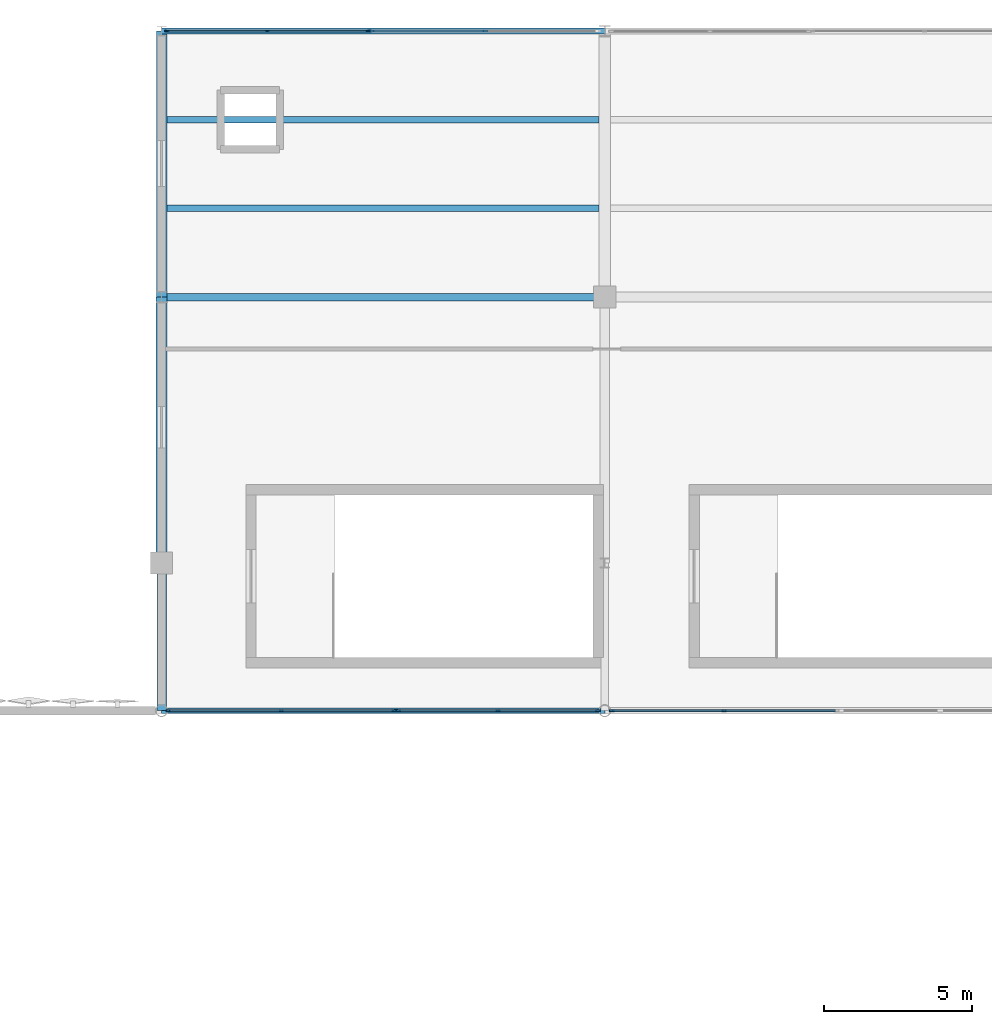
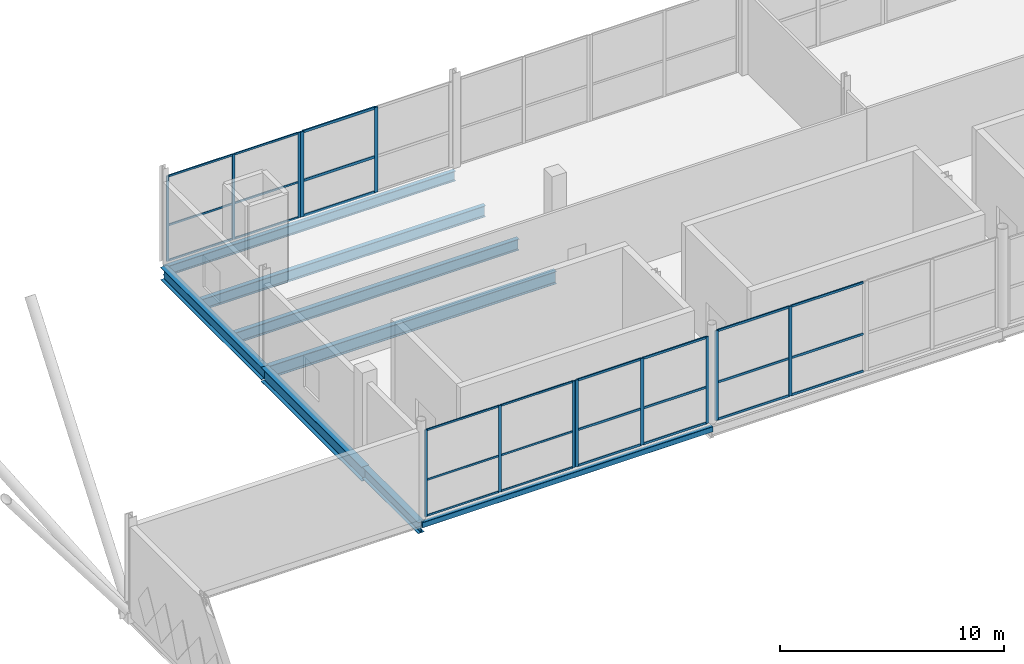
# One storey, part 32 of 119: 40 members, 8 beams, 5 elements without a shape of their own.
"""IFC4 building model written with IfcOpenShell, lengths in metres."""

from ifc_helpers import new_model, si_unit, direction, frame, origin, origin_2d, place, context, subcontext, project, spatial, rectangle, hollow_rectangle, i_section, extrude, material, layer, layer_set, material_profile, profile_set, type_object, element, aggregate, save


model = new_model("IFC4")

# Units and contexts
model_context = context("Model", 3, precision=1e-05, world=origin(), true_north=direction((0.0, 1.0)))
body_context = subcontext(model_context, "Body", "Model", "MODEL_VIEW")
ifc_project = project(units=[si_unit("LENGTHUNIT", "METRE"), si_unit("AREAUNIT", "SQUARE_METRE"), si_unit("VOLUMEUNIT", "CUBIC_METRE"), si_unit("PLANEANGLEUNIT", "RADIAN"), si_unit("MASSUNIT", "GRAM", prefix="KILO")], contexts=[model_context])

# Site, building, storey
site_placement = place(None, origin())
site = spatial("IfcSite", under=ifc_project, at=site_placement, CompositionType="ELEMENT")
building_placement = place(site_placement, origin())
building = spatial("IfcBuilding", under=site, at=building_placement, Name="Qamarlyn Nura Convention Centre", CompositionType="ELEMENT")
storey_placement = place(building_placement, frame((0.0, 0.0, 5.39990234375)))
storey = spatial("IfcBuildingStorey", under=building, at=storey_placement, Name="L01", CompositionType="ELEMENT", Elevation=5.39990234375)

# Beams
ifc_material_1 = material(Name="Steel ASTM A992", Category="steel")
ifc_material_profile_1 = material_profile(ifc_material_1, i_section(OverallWidth=0.323974609375, OverallDepth=0.611083984375, WebThickness=0.0126953125, FlangeThickness=0.01904296875, FilletRadius=0.01611328125, at=origin_2d()), Name="W610X155")
ifc_profile_set_1 = profile_set([ifc_material_profile_1], Name="Steel ASTM A992")
beam_type_1 = type_object("IfcBeamType", Name="BM-GIRD-610", PredefinedType="BEAM", material=ifc_profile_set_1)
beam_1_placement = place(storey_placement, frame((15.0, 103.0, -0.525390625), z_axis=(0.0, 1.0, 0.0), x_axis=(-1.0, 0.0, 0.0)))
element("IfcBeam", 1, at=beam_1_placement, inside=storey, type_object=beam_type_1, Name="L01 girder 2 M-N", PredefinedType="BEAM", context=body_context, shape_type="SweptSolid", body=[
    extrude(i_section(OverallWidth=0.323974609375, OverallDepth=0.611083984375, WebThickness=0.0126953125, FlangeThickness=0.01904296875, FilletRadius=0.01611328125, at=origin_2d()), origin(), (0.0, 0.0, 1.0), 5.0),
])
ifc_material_profile_2 = material_profile(ifc_material_1, i_section(OverallWidth=0.35498046875, OverallDepth=0.695068359375, WebThickness=0.015380859375, FlangeThickness=0.02490234375, FilletRadius=0.01806640625, at=origin_2d()), Name="W690X217")
ifc_profile_set_2 = profile_set([ifc_material_profile_2], Name="Steel ASTM A992")
beam_type_2 = type_object("IfcBeamType", Name="BM-GIRD-690A", PredefinedType="BEAM", material=ifc_profile_set_2)
beam_2_placement = place(storey_placement, frame((15.0, 117.0, -0.5673828125), z_axis=(0.0, 1.0, 0.0), x_axis=(-1.0, 0.0, 0.0)))
element("IfcBeam", 2, at=beam_2_placement, inside=storey, type_object=beam_type_2, Name="L01 girder 2 P-Q", PredefinedType="BEAM", context=body_context, shape_type="SweptSolid", body=[
    extrude(i_section(OverallWidth=0.35498046875, OverallDepth=0.695068359375, WebThickness=0.015380859375, FlangeThickness=0.02490234375, FilletRadius=0.01806640625, at=origin_2d()), origin(), (0.0, 0.0, 1.0), 9.0),
])
ifc_material_profile_3 = material_profile(ifc_material_1, i_section(OverallWidth=0.25390625, OverallDepth=0.68408203125, WebThickness=0.012451171875, FlangeThickness=0.01904296875, FilletRadius=0.01806640625, at=origin_2d()), Name="W690X140")
ifc_profile_set_3 = profile_set([ifc_material_profile_3], Name="Steel ASTM A992")
beam_type_3 = type_object("IfcBeamType", Name="BM-GIRD-690B", PredefinedType="BEAM", material=ifc_profile_set_3)
beam_3_placement = place(storey_placement, frame((15.0, 117.0, -0.56201171875), z_axis=(1.0, 0.0, 0.0), x_axis=(0.0, 1.0, 0.0)))
element("IfcBeam", 3, at=beam_3_placement, inside=storey, type_object=beam_type_3, Name="L01 girder P 2-3", PredefinedType="BEAM", context=body_context, shape_type="SweptSolid", body=[
    extrude(i_section(OverallWidth=0.25390625, OverallDepth=0.68408203125, WebThickness=0.012451171875, FlangeThickness=0.01904296875, FilletRadius=0.01806640625, at=origin_2d()), origin(), (0.0, 0.0, 1.0), 15.0),
])
ifc_material_profile_4 = material_profile(ifc_material_1, i_section(OverallWidth=0.381103515625, OverallDepth=0.77294921875, WebThickness=0.0166015625, FlangeThickness=0.027587890625, FilletRadius=0.02001953125, at=origin_2d()), Name="W760X257")
ifc_profile_set_4 = profile_set([ifc_material_profile_4], Name="Steel ASTM A992")
beam_type_4 = type_object("IfcBeamType", Name="BM-GIRD-760", PredefinedType="BEAM", material=ifc_profile_set_4)
beam_4_placement = place(storey_placement, frame((15.0, 108.0, -0.6064453125), z_axis=(0.0, 1.0, 0.0), x_axis=(-1.0, 0.0, 0.0)))
element("IfcBeam", 4, at=beam_4_placement, inside=storey, type_object=beam_type_4, Name="L01 girder 2 N-P", PredefinedType="BEAM", context=body_context, shape_type="SweptSolid", body=[
    extrude(i_section(OverallWidth=0.381103515625, OverallDepth=0.77294921875, WebThickness=0.0166015625, FlangeThickness=0.027587890625, FilletRadius=0.02001953125, at=origin_2d()), origin(), (0.0, 0.0, 1.0), 9.0),
])
ifc_material_profile_5 = material_profile(ifc_material_1, i_section(OverallWidth=0.22802734375, OverallDepth=0.60791015625, WebThickness=0.01123046875, FlangeThickness=0.017333984375, FilletRadius=0.01611328125, at=origin_2d()), Name="W610X113")
ifc_profile_set_5 = profile_set([ifc_material_profile_5], Name="Steel ASTM A992")
beam_type_5 = type_object("IfcBeamType", Name="BM-JOIST-610", PredefinedType="JOIST", material=ifc_profile_set_5)
for number, where, z_axis, x_axis, name in (
    (5, (15.177490234375, 120.0, -0.52392578125), (1.0, 0.0, 0.0), (0.0, 1.0, 0.0), "L01 composite joist 2-3/P+1"),
    (6, (15.177490234375, 123.0, -0.52392578125), (1.0, 0.0, 0.0), (0.0, 1.0, 0.0), "L01 composite joist 2-3/P+2"),
):
    element("IfcBeam", number, at=place(storey_placement, frame(where, z_axis=z_axis, x_axis=x_axis)), inside=storey, type_object=beam_type_5, Name=name, PredefinedType="JOIST", context=body_context, shape_type="SweptSolid", body=[
        extrude(i_section(OverallWidth=0.22802734375, OverallDepth=0.60791015625, WebThickness=0.01123046875, FlangeThickness=0.017333984375, FilletRadius=0.01611328125, at=origin_2d()), origin(), (0.0, 0.0, 1.0), 14.632080078125),
    ])
ifc_material_profile_6 = material_profile(ifc_material_1, i_section(OverallWidth=0.2109375, OverallDepth=0.5390625, WebThickness=0.01171875, FlangeThickness=0.018798828125, FilletRadius=0.013916015625, at=origin_2d()), Name="W530X109")
ifc_profile_set_6 = profile_set([ifc_material_profile_6], Name="Steel ASTM A992")
beam_type_6 = type_object("IfcBeamType", Name="BM-SPAN-530", PredefinedType="SPANDREL", material=ifc_profile_set_6)
beam_5_placement = place(storey_placement, frame((15.0, 126.0, -0.489501953125), z_axis=(1.0, 0.0, 0.0), x_axis=(0.0, 1.0, 0.0)))
element("IfcBeam", 7, at=beam_5_placement, inside=storey, type_object=beam_type_6, Name="L01 girder Q 2-3", PredefinedType="SPANDREL", context=body_context, shape_type="SweptSolid", body=[
    extrude(i_section(OverallWidth=0.2109375, OverallDepth=0.5390625, WebThickness=0.01171875, FlangeThickness=0.018798828125, FilletRadius=0.013916015625, at=origin_2d()), origin(), (0.0, 0.0, 1.0), 15.0),
])
ifc_material_2 = material(Name="Steel ASTM A500 Grade C", Category="steel")
ifc_material_profile_7 = material_profile(ifc_material_2, hollow_rectangle(XDim=0.199951171875, YDim=0.300048828125, WallThickness=0.012451171875, InnerFilletRadius=0.012451171875, OuterFilletRadius=0.02490234375, at=origin_2d()), Name="HSS300X200X12.5")
ifc_profile_set_7 = profile_set([ifc_material_profile_7], Name="Steel ASTM A500 Grade C")
beam_type_7 = type_object("IfcBeamType", Name="BM-SPAN-HSS", PredefinedType="SPANDREL", material=ifc_profile_set_7)
beam_6_placement = place(storey_placement, frame((15.0, 103.0, -0.369873046875), z_axis=(1.0, 0.0, 0.0), x_axis=(0.0, 1.0, 0.0)))
element("IfcBeam", 8, at=beam_6_placement, inside=storey, type_object=beam_type_7, Name="L01 girder M 2-3", PredefinedType="SPANDREL", context=body_context, shape_type="SweptSolid", body=[
    extrude(hollow_rectangle(XDim=0.199951171875, YDim=0.300048828125, WallThickness=0.012451171875, InnerFilletRadius=0.012451171875, OuterFilletRadius=0.02490234375, at=origin_2d()), origin(), (0.0, 0.0, 1.0), 15.0),
])

# Curtain wall, members
ifc_material_3 = material(Name="Double-silver low-E insulated glass", Category="glass")
ifc_layer_1 = layer(ifc_material_3, 0.179931640625, Name="CW-UNIT-34")
ifc_layer_set_1 = layer_set([ifc_layer_1], Name="Double-silver low-E insulated glass")
curtain_wall_type_1 = type_object("IfcCurtainWallType", Name="CW-UNIT-34", PredefinedType="NOTDEFINED", material=ifc_layer_set_1)
curtain_wall_1_placement = place(storey_placement, origin())
curtain_wall_1 = element("IfcCurtainWall", 9, at=curtain_wall_1_placement, inside=storey, type_object=curtain_wall_type_1, Name="L01 unitised curtain wall NS-INT-1-1B", PredefinedType="NOTDEFINED")
ifc_material_4 = material(Name="Champagne-anodised marine aluminium", Category="aluminium")
ifc_material_profile_8 = material_profile(ifc_material_4, rectangle(XDim=0.06005859375, YDim=0.139892578125, at=origin_2d()), Name="ALU MULLION 60x140")
ifc_profile_set_8 = profile_set([ifc_material_profile_8], Name="Champagne-anodised marine aluminium")
member_type_1 = type_object("IfcMemberType", Name="CWM-140", PredefinedType="MULLION", material=ifc_profile_set_8)
member_1_placement = place(storey_placement, frame((22.867919921875, 103.0, 0.0), z_axis=(0.0, 0.0, 1.0), x_axis=(0.0, -1.0, 0.0)))
member_1 = element("IfcMember", 10, at=member_1_placement, type_object=member_type_1, Name="CW34 mullion 1", PredefinedType="MULLION", context=body_context, shape_type="SweptSolid", body=[
    extrude(rectangle(XDim=0.06005859375, YDim=0.139892578125, at=origin_2d()), origin(), (0.0, 0.0, 1.0), 4.72412109375),
])
member_2_placement = place(storey_placement, frame((19.050537109375, 103.0, 0.0), z_axis=(0.0, 0.0, 1.0), x_axis=(0.0, -1.0, 0.0)))
member_2 = element("IfcMember", 11, at=member_2_placement, type_object=member_type_1, Name="CW34 mullion 2", PredefinedType="MULLION", context=body_context, shape_type="SweptSolid", body=[
    extrude(rectangle(XDim=0.06005859375, YDim=0.139892578125, at=origin_2d()), origin(), (0.0, 0.0, 1.0), 4.72412109375),
])
member_3_placement = place(storey_placement, frame((15.233154296875, 103.0, 0.0), z_axis=(0.0, 0.0, 1.0), x_axis=(0.0, -1.0, 0.0)))
member_3 = element("IfcMember", 12, at=member_3_placement, type_object=member_type_1, Name="CW34 mullion 3", PredefinedType="MULLION", context=body_context, shape_type="SweptSolid", body=[
    extrude(rectangle(XDim=0.06005859375, YDim=0.139892578125, at=origin_2d()), origin(), (0.0, 0.0, 1.0), 4.72412109375),
])

ifc_layer_2 = layer(ifc_material_3, 0.179931640625, Name="CW-UNIT-43")
ifc_layer_set_2 = layer_set([ifc_layer_2], Name="Double-silver low-E insulated glass")
curtain_wall_type_2 = type_object("IfcCurtainWallType", Name="CW-UNIT-43", PredefinedType="NOTDEFINED", material=ifc_layer_set_2)
curtain_wall_2_placement = place(storey_placement, origin())
curtain_wall_2 = element("IfcCurtainWall", 13, at=curtain_wall_2_placement, inside=storey, type_object=curtain_wall_type_2, Name="L01 unitised curtain wall NS-N1-1A", PredefinedType="NOTDEFINED")
member_4_placement = place(storey_placement, frame((15.1826171875, 126.0, 0.0), z_axis=(0.0, 0.0, 1.0), x_axis=(0.0, 1.0, 0.0)))
member_4 = element("IfcMember", 14, at=member_4_placement, type_object=member_type_1, Name="CW43 mullion 1", PredefinedType="MULLION", context=body_context, shape_type="SweptSolid", body=[
    extrude(rectangle(XDim=0.06005859375, YDim=0.139892578125, at=origin_2d()), origin(), (0.0, 0.0, 1.0), 4.651123046875),
])
member_5_placement = place(storey_placement, frame((18.57763671875, 126.0, 0.0), z_axis=(0.0, 0.0, 1.0), x_axis=(0.0, 1.0, 0.0)))
member_5 = element("IfcMember", 15, at=member_5_placement, type_object=member_type_1, Name="CW43 mullion 2", PredefinedType="MULLION", context=body_context, shape_type="SweptSolid", body=[
    extrude(rectangle(XDim=0.06005859375, YDim=0.139892578125, at=origin_2d()), origin(), (0.0, 0.0, 1.0), 4.651123046875),
])
member_6_placement = place(storey_placement, frame((21.972900390625, 126.0, 0.0), z_axis=(0.0, 0.0, 1.0), x_axis=(0.0, 1.0, 0.0)))
member_6 = element("IfcMember", 16, at=member_6_placement, type_object=member_type_1, Name="CW43 mullion 3", PredefinedType="MULLION", context=body_context, shape_type="SweptSolid", body=[
    extrude(rectangle(XDim=0.06005859375, YDim=0.139892578125, at=origin_2d()), origin(), (0.0, 0.0, 1.0), 4.651123046875),
])

ifc_layer_3 = layer(ifc_material_3, 0.179931640625, Name="CW-UNIT-33")
ifc_layer_set_3 = layer_set([ifc_layer_3], Name="Double-silver low-E insulated glass")
curtain_wall_type_3 = type_object("IfcCurtainWallType", Name="CW-UNIT-33", PredefinedType="NOTDEFINED", material=ifc_layer_set_3)
curtain_wall_3_placement = place(storey_placement, origin())
curtain_wall_3 = element("IfcCurtainWall", 17, at=curtain_wall_3_placement, inside=storey, type_object=curtain_wall_type_3, Name="L01 unitised curtain wall NS-INT-1-1A", PredefinedType="NOTDEFINED")
ifc_material_profile_9 = material_profile(ifc_material_4, rectangle(XDim=0.06494140625, YDim=0.159912109375, at=origin_2d()), Name="ALU MULLION 65x160")
ifc_profile_set_9 = profile_set([ifc_material_profile_9], Name="Champagne-anodised marine aluminium")
member_type_2 = type_object("IfcMemberType", Name="CWM-160", PredefinedType="MULLION", material=ifc_profile_set_9)
member_7_placement = place(storey_placement, frame((29.764404296875, 103.0, 0.0), z_axis=(0.0, 0.0, 1.0), x_axis=(0.0, -1.0, 0.0)))
member_7 = element("IfcMember", 18, at=member_7_placement, type_object=member_type_2, Name="CW33 mullion 1", PredefinedType="MULLION", context=body_context, shape_type="SweptSolid", body=[
    extrude(rectangle(XDim=0.06494140625, YDim=0.159912109375, at=origin_2d()), origin(), (0.0, 0.0, 1.0), 4.72412109375),
])
member_8_placement = place(storey_placement, frame((26.38720703125, 103.0, 0.0), z_axis=(0.0, 0.0, 1.0), x_axis=(0.0, -1.0, 0.0)))
member_8 = element("IfcMember", 19, at=member_8_placement, type_object=member_type_2, Name="CW33 mullion 2", PredefinedType="MULLION", context=body_context, shape_type="SweptSolid", body=[
    extrude(rectangle(XDim=0.06494140625, YDim=0.159912109375, at=origin_2d()), origin(), (0.0, 0.0, 1.0), 4.72412109375),
])
member_9_placement = place(storey_placement, frame((23.01025390625, 103.0, 0.0), z_axis=(0.0, 0.0, 1.0), x_axis=(0.0, -1.0, 0.0)))
member_9 = element("IfcMember", 20, at=member_9_placement, type_object=member_type_2, Name="CW33 mullion 3", PredefinedType="MULLION", context=body_context, shape_type="SweptSolid", body=[
    extrude(rectangle(XDim=0.06494140625, YDim=0.159912109375, at=origin_2d()), origin(), (0.0, 0.0, 1.0), 4.72412109375),
])

ifc_layer_4 = layer(ifc_material_3, 0.179931640625, Name="CW-UNIT-36")
ifc_layer_set_4 = layer_set([ifc_layer_4], Name="Double-silver low-E insulated glass")
curtain_wall_type_4 = type_object("IfcCurtainWallType", Name="CW-UNIT-36", PredefinedType="NOTDEFINED", material=ifc_layer_set_4)
curtain_wall_4_placement = place(storey_placement, origin())
curtain_wall_4 = element("IfcCurtainWall", 21, at=curtain_wall_4_placement, inside=storey, type_object=curtain_wall_type_4, Name="L01 unitised curtain wall NS-INT-2-1B", PredefinedType="NOTDEFINED")
member_10_placement = place(storey_placement, frame((34.037109375, 103.0, 0.0), z_axis=(0.0, 0.0, 1.0), x_axis=(0.0, -1.0, 0.0)))
member_10 = element("IfcMember", 22, at=member_10_placement, type_object=member_type_2, Name="CW36 mullion 2", PredefinedType="MULLION", context=body_context, shape_type="SweptSolid", body=[
    extrude(rectangle(XDim=0.06494140625, YDim=0.159912109375, at=origin_2d()), origin(), (0.0, 0.0, 1.0), 4.89013671875),
])
member_11_placement = place(storey_placement, frame((30.235595703125, 103.0, 0.0), z_axis=(0.0, 0.0, 1.0), x_axis=(0.0, -1.0, 0.0)))
member_11 = element("IfcMember", 23, at=member_11_placement, type_object=member_type_2, Name="CW36 mullion 3", PredefinedType="MULLION", context=body_context, shape_type="SweptSolid", body=[
    extrude(rectangle(XDim=0.06494140625, YDim=0.159912109375, at=origin_2d()), origin(), (0.0, 0.0, 1.0), 4.89013671875),
])

ifc_layer_5 = layer(ifc_material_3, 0.179931640625, Name="CW-UNIT-44")
ifc_layer_set_5 = layer_set([ifc_layer_5], Name="Double-silver low-E insulated glass")
curtain_wall_type_5 = type_object("IfcCurtainWallType", Name="CW-UNIT-44", PredefinedType="NOTDEFINED", material=ifc_layer_set_5)
curtain_wall_5_placement = place(storey_placement, origin())
curtain_wall_5 = element("IfcCurtainWall", 24, at=curtain_wall_5_placement, inside=storey, type_object=curtain_wall_type_5, Name="L01 unitised curtain wall NS-N1-1B", PredefinedType="NOTDEFINED")
ifc_material_profile_10 = material_profile(ifc_material_4, rectangle(XDim=0.070068359375, YDim=0.179931640625, at=origin_2d()), Name="ALU MULLION 70x180")
ifc_profile_set_10 = profile_set([ifc_material_profile_10], Name="Champagne-anodised marine aluminium")
member_type_3 = type_object("IfcMemberType", Name="CWM-180", PredefinedType="MULLION", material=ifc_profile_set_10)
member_12_placement = place(storey_placement, frame((22.117919921875, 126.0, 0.0), z_axis=(0.0, 0.0, 1.0), x_axis=(0.0, 1.0, 0.0)))
member_12 = element("IfcMember", 25, at=member_12_placement, type_object=member_type_3, Name="CW44 mullion 1", PredefinedType="MULLION", context=body_context, shape_type="SweptSolid", body=[
    extrude(rectangle(XDim=0.070068359375, YDim=0.179931640625, at=origin_2d()), origin(), (0.0, 0.0, 1.0), 4.651123046875),
])
member_13_placement = place(storey_placement, frame((25.947998046875, 126.0, 0.0), z_axis=(0.0, 0.0, 1.0), x_axis=(0.0, 1.0, 0.0)))
member_13 = element("IfcMember", 26, at=member_13_placement, type_object=member_type_3, Name="CW44 mullion 2", PredefinedType="MULLION", context=body_context, shape_type="SweptSolid", body=[
    extrude(rectangle(XDim=0.070068359375, YDim=0.179931640625, at=origin_2d()), origin(), (0.0, 0.0, 1.0), 4.651123046875),
])

# Member
ifc_material_profile_11 = material_profile(ifc_material_4, rectangle(XDim=0.06005859375, YDim=0.10009765625, at=origin_2d()), Name="ALU TRANSOM 60x100")
ifc_profile_set_11 = profile_set([ifc_material_profile_11], Name="Champagne-anodised marine aluminium")
member_type_4 = type_object("IfcMemberType", Name="CWT-100", PredefinedType="USERDEFINED", material=ifc_profile_set_11)
member_14_placement = place(storey_placement, frame((22.837890625, 103.0, 0.030029296875), z_axis=(-1.0, 0.0, 0.0), x_axis=(0.0, -1.0, 0.0)))
member_14 = element("IfcMember", 27, at=member_14_placement, type_object=member_type_4, Name="CW34 transom 1.1", ObjectType="TRANSOM", PredefinedType="USERDEFINED", context=body_context, shape_type="SweptSolid", body=[
    extrude(rectangle(XDim=0.06005859375, YDim=0.10009765625, at=origin_2d()), origin(), (0.0, 0.0, 1.0), 3.75732421875),
])

member_15_placement = place(storey_placement, frame((22.837890625, 103.0, 1.984130859375), z_axis=(-1.0, 0.0, 0.0), x_axis=(0.0, -1.0, 0.0)))
member_15 = element("IfcMember", 28, at=member_15_placement, type_object=member_type_4, Name="CW34 transom 1.2", ObjectType="TRANSOM", PredefinedType="USERDEFINED", context=body_context, shape_type="SweptSolid", body=[
    extrude(rectangle(XDim=0.06005859375, YDim=0.10009765625, at=origin_2d()), origin(), (0.0, 0.0, 1.0), 3.75732421875),
])

member_16_placement = place(storey_placement, frame((22.837890625, 103.0, 4.694091796875), z_axis=(-1.0, 0.0, 0.0), x_axis=(0.0, -1.0, 0.0)))
member_16 = element("IfcMember", 29, at=member_16_placement, type_object=member_type_4, Name="CW34 transom 1.3", ObjectType="TRANSOM", PredefinedType="USERDEFINED", context=body_context, shape_type="SweptSolid", body=[
    extrude(rectangle(XDim=0.06005859375, YDim=0.10009765625, at=origin_2d()), origin(), (0.0, 0.0, 1.0), 3.75732421875),
])

member_17_placement = place(storey_placement, frame((19.0205078125, 103.0, 0.030029296875), z_axis=(-1.0, 0.0, 0.0), x_axis=(0.0, -1.0, 0.0)))
member_17 = element("IfcMember", 30, at=member_17_placement, type_object=member_type_4, Name="CW34 transom 2.1", ObjectType="TRANSOM", PredefinedType="USERDEFINED", context=body_context, shape_type="SweptSolid", body=[
    extrude(rectangle(XDim=0.06005859375, YDim=0.10009765625, at=origin_2d()), origin(), (0.0, 0.0, 1.0), 3.75732421875),
])

member_18_placement = place(storey_placement, frame((19.0205078125, 103.0, 1.984130859375), z_axis=(-1.0, 0.0, 0.0), x_axis=(0.0, -1.0, 0.0)))
member_18 = element("IfcMember", 31, at=member_18_placement, type_object=member_type_4, Name="CW34 transom 2.2", ObjectType="TRANSOM", PredefinedType="USERDEFINED", context=body_context, shape_type="SweptSolid", body=[
    extrude(rectangle(XDim=0.06005859375, YDim=0.10009765625, at=origin_2d()), origin(), (0.0, 0.0, 1.0), 3.75732421875),
])

member_19_placement = place(storey_placement, frame((19.0205078125, 103.0, 4.694091796875), z_axis=(-1.0, 0.0, 0.0), x_axis=(0.0, -1.0, 0.0)))
member_19 = element("IfcMember", 32, at=member_19_placement, type_object=member_type_4, Name="CW34 transom 2.3", ObjectType="TRANSOM", PredefinedType="USERDEFINED", context=body_context, shape_type="SweptSolid", body=[
    extrude(rectangle(XDim=0.06005859375, YDim=0.10009765625, at=origin_2d()), origin(), (0.0, 0.0, 1.0), 3.75732421875),
])

aggregate(curtain_wall_1, [member_1, member_2, member_3, member_14, member_15, member_16, member_17, member_18, member_19])

member_20_placement = place(storey_placement, frame((15.21240234375, 126.0, 0.030029296875), z_axis=(1.0, 0.0, 0.0), x_axis=(0.0, 1.0, 0.0)))
member_20 = element("IfcMember", 33, at=member_20_placement, type_object=member_type_4, Name="CW43 transom 1.1", ObjectType="TRANSOM", PredefinedType="USERDEFINED", context=body_context, shape_type="SweptSolid", body=[
    extrude(rectangle(XDim=0.06005859375, YDim=0.10009765625, at=origin_2d()), origin(), (0.0, 0.0, 1.0), 3.335205078125),
])

member_21_placement = place(storey_placement, frame((15.21240234375, 126.0, 1.953125), z_axis=(1.0, 0.0, 0.0), x_axis=(0.0, 1.0, 0.0)))
member_21 = element("IfcMember", 34, at=member_21_placement, type_object=member_type_4, Name="CW43 transom 1.2", ObjectType="TRANSOM", PredefinedType="USERDEFINED", context=body_context, shape_type="SweptSolid", body=[
    extrude(rectangle(XDim=0.06005859375, YDim=0.10009765625, at=origin_2d()), origin(), (0.0, 0.0, 1.0), 3.335205078125),
])

member_22_placement = place(storey_placement, frame((15.21240234375, 126.0, 4.62109375), z_axis=(1.0, 0.0, 0.0), x_axis=(0.0, 1.0, 0.0)))
member_22 = element("IfcMember", 35, at=member_22_placement, type_object=member_type_4, Name="CW43 transom 1.3", ObjectType="TRANSOM", PredefinedType="USERDEFINED", context=body_context, shape_type="SweptSolid", body=[
    extrude(rectangle(XDim=0.06005859375, YDim=0.10009765625, at=origin_2d()), origin(), (0.0, 0.0, 1.0), 3.335205078125),
])

member_23_placement = place(storey_placement, frame((18.607666015625, 126.0, 0.030029296875), z_axis=(1.0, 0.0, 0.0), x_axis=(0.0, 1.0, 0.0)))
member_23 = element("IfcMember", 36, at=member_23_placement, type_object=member_type_4, Name="CW43 transom 2.1", ObjectType="TRANSOM", PredefinedType="USERDEFINED", context=body_context, shape_type="SweptSolid", body=[
    extrude(rectangle(XDim=0.06005859375, YDim=0.10009765625, at=origin_2d()), origin(), (0.0, 0.0, 1.0), 3.335205078125),
])

member_24_placement = place(storey_placement, frame((18.607666015625, 126.0, 1.953125), z_axis=(1.0, 0.0, 0.0), x_axis=(0.0, 1.0, 0.0)))
member_24 = element("IfcMember", 37, at=member_24_placement, type_object=member_type_4, Name="CW43 transom 2.2", ObjectType="TRANSOM", PredefinedType="USERDEFINED", context=body_context, shape_type="SweptSolid", body=[
    extrude(rectangle(XDim=0.06005859375, YDim=0.10009765625, at=origin_2d()), origin(), (0.0, 0.0, 1.0), 3.335205078125),
])

member_25_placement = place(storey_placement, frame((18.607666015625, 126.0, 4.62109375), z_axis=(1.0, 0.0, 0.0), x_axis=(0.0, 1.0, 0.0)))
member_25 = element("IfcMember", 38, at=member_25_placement, type_object=member_type_4, Name="CW43 transom 2.3", ObjectType="TRANSOM", PredefinedType="USERDEFINED", context=body_context, shape_type="SweptSolid", body=[
    extrude(rectangle(XDim=0.06005859375, YDim=0.10009765625, at=origin_2d()), origin(), (0.0, 0.0, 1.0), 3.335205078125),
])

aggregate(curtain_wall_2, [member_4, member_5, member_6, member_20, member_21, member_22, member_23, member_24, member_25])

ifc_material_profile_12 = material_profile(ifc_material_4, rectangle(XDim=0.06494140625, YDim=0.1201171875, at=origin_2d()), Name="ALU TRANSOM 65x120")
ifc_profile_set_12 = profile_set([ifc_material_profile_12], Name="Champagne-anodised marine aluminium")
member_type_5 = type_object("IfcMemberType", Name="CWT-120", PredefinedType="USERDEFINED", material=ifc_profile_set_12)
member_26_placement = place(storey_placement, frame((29.731689453125, 103.0, 0.03271484375), z_axis=(-1.0, 0.0, 0.0), x_axis=(0.0, -1.0, 0.0)))
member_26 = element("IfcMember", 39, at=member_26_placement, type_object=member_type_5, Name="CW33 transom 1.1", ObjectType="TRANSOM", PredefinedType="USERDEFINED", context=body_context, shape_type="SweptSolid", body=[
    extrude(rectangle(XDim=0.06494140625, YDim=0.1201171875, at=origin_2d()), origin(), (0.0, 0.0, 1.0), 3.311767578125),
])

member_27_placement = place(storey_placement, frame((29.731689453125, 103.0, 1.984130859375), z_axis=(-1.0, 0.0, 0.0), x_axis=(0.0, -1.0, 0.0)))
member_27 = element("IfcMember", 40, at=member_27_placement, type_object=member_type_5, Name="CW33 transom 1.2", ObjectType="TRANSOM", PredefinedType="USERDEFINED", context=body_context, shape_type="SweptSolid", body=[
    extrude(rectangle(XDim=0.06494140625, YDim=0.1201171875, at=origin_2d()), origin(), (0.0, 0.0, 1.0), 3.311767578125),
])

member_28_placement = place(storey_placement, frame((29.731689453125, 103.0, 4.691650390625), z_axis=(-1.0, 0.0, 0.0), x_axis=(0.0, -1.0, 0.0)))
member_28 = element("IfcMember", 41, at=member_28_placement, type_object=member_type_5, Name="CW33 transom 1.3", ObjectType="TRANSOM", PredefinedType="USERDEFINED", context=body_context, shape_type="SweptSolid", body=[
    extrude(rectangle(XDim=0.06494140625, YDim=0.1201171875, at=origin_2d()), origin(), (0.0, 0.0, 1.0), 3.311767578125),
])

member_29_placement = place(storey_placement, frame((26.354736328125, 103.0, 0.03271484375), z_axis=(-1.0, 0.0, 0.0), x_axis=(0.0, -1.0, 0.0)))
member_29 = element("IfcMember", 42, at=member_29_placement, type_object=member_type_5, Name="CW33 transom 2.1", ObjectType="TRANSOM", PredefinedType="USERDEFINED", context=body_context, shape_type="SweptSolid", body=[
    extrude(rectangle(XDim=0.06494140625, YDim=0.1201171875, at=origin_2d()), origin(), (0.0, 0.0, 1.0), 3.31201171875),
])

member_30_placement = place(storey_placement, frame((26.354736328125, 103.0, 1.984130859375), z_axis=(-1.0, 0.0, 0.0), x_axis=(0.0, -1.0, 0.0)))
member_30 = element("IfcMember", 43, at=member_30_placement, type_object=member_type_5, Name="CW33 transom 2.2", ObjectType="TRANSOM", PredefinedType="USERDEFINED", context=body_context, shape_type="SweptSolid", body=[
    extrude(rectangle(XDim=0.06494140625, YDim=0.1201171875, at=origin_2d()), origin(), (0.0, 0.0, 1.0), 3.31201171875),
])

member_31_placement = place(storey_placement, frame((26.354736328125, 103.0, 4.691650390625), z_axis=(-1.0, 0.0, 0.0), x_axis=(0.0, -1.0, 0.0)))
member_31 = element("IfcMember", 44, at=member_31_placement, type_object=member_type_5, Name="CW33 transom 2.3", ObjectType="TRANSOM", PredefinedType="USERDEFINED", context=body_context, shape_type="SweptSolid", body=[
    extrude(rectangle(XDim=0.06494140625, YDim=0.1201171875, at=origin_2d()), origin(), (0.0, 0.0, 1.0), 3.31201171875),
])

aggregate(curtain_wall_3, [member_7, member_8, member_9, member_26, member_27, member_28, member_29, member_30, member_31])

member_32_placement = place(storey_placement, frame((37.805908203125, 103.0, 0.03271484375), z_axis=(-1.0, 0.0, 0.0), x_axis=(0.0, -1.0, 0.0)))
member_32 = element("IfcMember", 45, at=member_32_placement, type_object=member_type_5, Name="CW36 transom 1.1", ObjectType="TRANSOM", PredefinedType="USERDEFINED", context=body_context, shape_type="SweptSolid", body=[
    extrude(rectangle(XDim=0.06494140625, YDim=0.1201171875, at=origin_2d()), origin(), (0.0, 0.0, 1.0), 3.736328125),
])

member_33_placement = place(storey_placement, frame((37.805908203125, 103.0, 2.05419921875), z_axis=(-1.0, 0.0, 0.0), x_axis=(0.0, -1.0, 0.0)))
member_33 = element("IfcMember", 46, at=member_33_placement, type_object=member_type_5, Name="CW36 transom 1.2", ObjectType="TRANSOM", PredefinedType="USERDEFINED", context=body_context, shape_type="SweptSolid", body=[
    extrude(rectangle(XDim=0.06494140625, YDim=0.1201171875, at=origin_2d()), origin(), (0.0, 0.0, 1.0), 3.736328125),
])

member_34_placement = place(storey_placement, frame((37.805908203125, 103.0, 4.857666015625), z_axis=(-1.0, 0.0, 0.0), x_axis=(0.0, -1.0, 0.0)))
member_34 = element("IfcMember", 47, at=member_34_placement, type_object=member_type_5, Name="CW36 transom 1.3", ObjectType="TRANSOM", PredefinedType="USERDEFINED", context=body_context, shape_type="SweptSolid", body=[
    extrude(rectangle(XDim=0.06494140625, YDim=0.1201171875, at=origin_2d()), origin(), (0.0, 0.0, 1.0), 3.736328125),
])

member_35_placement = place(storey_placement, frame((34.004638671875, 103.0, 0.03271484375), z_axis=(-1.0, 0.0, 0.0), x_axis=(0.0, -1.0, 0.0)))
member_35 = element("IfcMember", 48, at=member_35_placement, type_object=member_type_5, Name="CW36 transom 2.1", ObjectType="TRANSOM", PredefinedType="USERDEFINED", context=body_context, shape_type="SweptSolid", body=[
    extrude(rectangle(XDim=0.06494140625, YDim=0.1201171875, at=origin_2d()), origin(), (0.0, 0.0, 1.0), 3.736328125),
])

member_36_placement = place(storey_placement, frame((34.004638671875, 103.0, 2.05419921875), z_axis=(-1.0, 0.0, 0.0), x_axis=(0.0, -1.0, 0.0)))
member_36 = element("IfcMember", 49, at=member_36_placement, type_object=member_type_5, Name="CW36 transom 2.2", ObjectType="TRANSOM", PredefinedType="USERDEFINED", context=body_context, shape_type="SweptSolid", body=[
    extrude(rectangle(XDim=0.06494140625, YDim=0.1201171875, at=origin_2d()), origin(), (0.0, 0.0, 1.0), 3.736328125),
])

member_37_placement = place(storey_placement, frame((34.004638671875, 103.0, 4.857666015625), z_axis=(-1.0, 0.0, 0.0), x_axis=(0.0, -1.0, 0.0)))
member_37 = element("IfcMember", 50, at=member_37_placement, type_object=member_type_5, Name="CW36 transom 2.3", ObjectType="TRANSOM", PredefinedType="USERDEFINED", context=body_context, shape_type="SweptSolid", body=[
    extrude(rectangle(XDim=0.06494140625, YDim=0.1201171875, at=origin_2d()), origin(), (0.0, 0.0, 1.0), 3.736328125),
])

aggregate(curtain_wall_4, [member_10, member_11, member_32, member_33, member_34, member_35, member_36, member_37])

ifc_material_profile_13 = material_profile(ifc_material_4, rectangle(XDim=0.070068359375, YDim=0.139892578125, at=origin_2d()), Name="ALU TRANSOM 70x140")
ifc_profile_set_13 = profile_set([ifc_material_profile_13], Name="Champagne-anodised marine aluminium")
member_type_6 = type_object("IfcMemberType", Name="CWT-140", PredefinedType="USERDEFINED", material=ifc_profile_set_13)
member_38_placement = place(storey_placement, frame((22.15283203125, 126.0, 0.03515625), z_axis=(1.0, 0.0, 0.0), x_axis=(0.0, 1.0, 0.0)))
member_38 = element("IfcMember", 51, at=member_38_placement, type_object=member_type_6, Name="CW44 transom 1.1", ObjectType="TRANSOM", PredefinedType="USERDEFINED", context=body_context, shape_type="SweptSolid", body=[
    extrude(rectangle(XDim=0.070068359375, YDim=0.139892578125, at=origin_2d()), origin(), (0.0, 0.0, 1.0), 3.760009765625),
])

member_39_placement = place(storey_placement, frame((22.15283203125, 126.0, 1.953125), z_axis=(1.0, 0.0, 0.0), x_axis=(0.0, 1.0, 0.0)))
member_39 = element("IfcMember", 52, at=member_39_placement, type_object=member_type_6, Name="CW44 transom 1.2", ObjectType="TRANSOM", PredefinedType="USERDEFINED", context=body_context, shape_type="SweptSolid", body=[
    extrude(rectangle(XDim=0.070068359375, YDim=0.139892578125, at=origin_2d()), origin(), (0.0, 0.0, 1.0), 3.760009765625),
])

member_40_placement = place(storey_placement, frame((22.15283203125, 126.0, 4.6162109375), z_axis=(1.0, 0.0, 0.0), x_axis=(0.0, 1.0, 0.0)))
member_40 = element("IfcMember", 53, at=member_40_placement, type_object=member_type_6, Name="CW44 transom 1.3", ObjectType="TRANSOM", PredefinedType="USERDEFINED", context=body_context, shape_type="SweptSolid", body=[
    extrude(rectangle(XDim=0.070068359375, YDim=0.139892578125, at=origin_2d()), origin(), (0.0, 0.0, 1.0), 3.760009765625),
])

aggregate(curtain_wall_5, [member_12, member_13, member_38, member_39, member_40])

save(model, "model.ifc")
